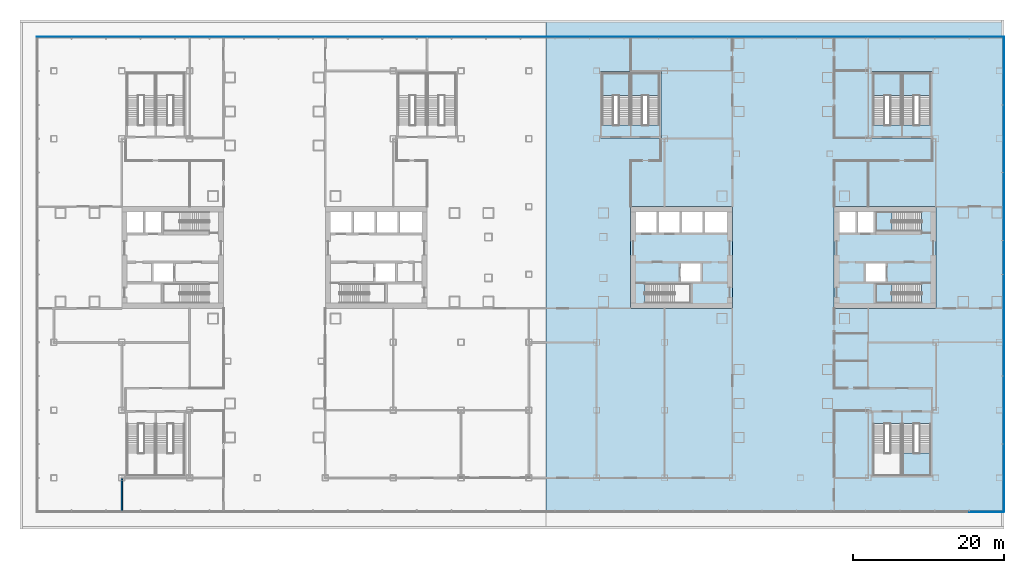
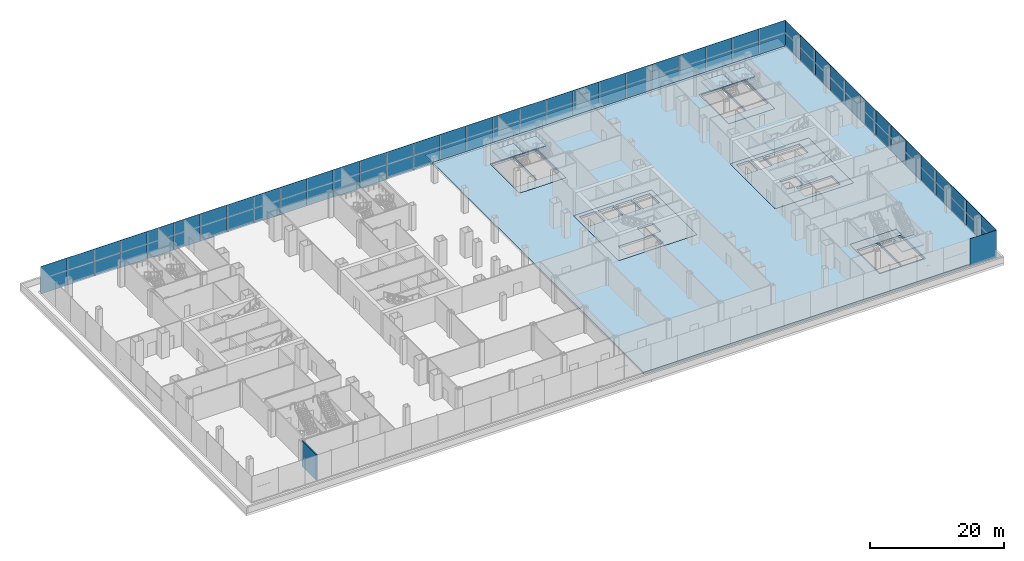
# One storey, part 19 of 33: 43 plates, 14 slabs, 1 wall, 10 elements without a shape of their own.
"""IFC4 building model written with IfcOpenShell, lengths in metres."""

from ifc_helpers import new_model, si_unit, direction, frame, frame_2d, origin, origin_2d, place, context, subcontext, project, spatial, polyline, rectangle, outline, extrude, material, layer, layer_set, type_object, element, aggregate, save


model = new_model("IFC4")

# Units and contexts
model_context = context("Model", 3, precision=1e-05, world=origin(), true_north=direction((0.0, 1.0)))
body_context = subcontext(model_context, "Body", "Model", "MODEL_VIEW")
ifc_project = project(units=[si_unit("LENGTHUNIT", "METRE"), si_unit("AREAUNIT", "SQUARE_METRE"), si_unit("VOLUMEUNIT", "CUBIC_METRE"), si_unit("PLANEANGLEUNIT", "RADIAN"), si_unit("MASSUNIT", "GRAM", prefix="KILO")], contexts=[model_context])

# Site, building, storey
site_placement = place(None, origin())
site = spatial("IfcSite", under=ifc_project, at=site_placement, CompositionType="ELEMENT")
building_placement = place(site_placement, origin())
building = spatial("IfcBuilding", under=site, at=building_placement, Name="Shamsa Quay Exchange Towers", CompositionType="ELEMENT")
storey_placement = place(building_placement, frame((0.0, 0.0, 18.5)))
storey = spatial("IfcBuildingStorey", under=building, at=storey_placement, Name="L03", CompositionType="ELEMENT", Elevation=18.5)

# Slabs
ifc_material_1 = material(Name="Concrete C50/60", Category="concrete")
ifc_layer_1 = layer(ifc_material_1, 0.39990234375)
ifc_layer_set_1 = layer_set([ifc_layer_1], Name="CORE FLOOR 400 C50/60")
slab_type_1 = type_object("IfcSlabType", Name="CORE FLOOR 400 C50/60", PredefinedType="FLOOR", material=ifc_layer_set_1)
slab_1_placement = place(storey_placement, frame((0.0, 0.0, -0.39990234375)))
element("IfcSlab", 1, at=slab_1_placement, inside=storey, type_object=slab_type_1, Name="Core floor T2A", PredefinedType="FLOOR", context=body_context, shape_type="SweptSolid", body=[
    extrude(outline(polyline([(13.5, -6.75), (27.0, -6.75), (27.0, 6.75), (13.5, 6.75), (13.5, -6.75)]), holes=[polyline([(15.400634765625, -6.050048828125), (15.400634765625, -3.5), (21.5, -3.5), (21.5, -6.050048828125), (15.400634765625, -6.050048828125)]), polyline([(14.199951171875, 3.25), (14.199951171875, 6.050048828125), (17.0, 6.050048828125), (17.0, 3.25), (14.199951171875, 3.25)]), polyline([(17.25, 3.25), (17.25, 6.050048828125), (20.050048828125, 6.050048828125), (20.050048828125, 3.25), (17.25, 3.25)]), polyline([(20.300048828125, 3.25), (20.300048828125, 6.050048828125), (23.10009765625, 6.050048828125), (23.10009765625, 3.25), (20.300048828125, 3.25)]), polyline([(23.35009765625, 3.25), (23.35009765625, 6.050048828125), (26.300048828125, 6.050048828125), (26.300048828125, 3.25), (23.35009765625, 3.25)]), polyline([(20.14990234375, -3.25), (20.14990234375, -0.75), (22.800048828125, -0.75), (22.800048828125, -3.25), (20.14990234375, -3.25)])]), origin(), (0.0, 0.0, 1.0), 0.39990234375),
])
slab_2_placement = place(storey_placement, frame((0.0, 0.0, -0.39990234375)))
element("IfcSlab", 2, at=slab_2_placement, inside=storey, type_object=slab_type_1, Name="Core floor T2B", PredefinedType="FLOOR", context=body_context, shape_type="SweptSolid", body=[
    extrude(outline(polyline([(54.0, -6.75), (54.0, 6.75), (40.5, 6.75), (40.5, -6.75), (54.0, -6.75)]), holes=[polyline([(52.099365234375, -3.5), (52.099365234375, -6.050048828125), (46.0, -6.050048828125), (46.0, -3.5), (52.099365234375, -3.5)]), polyline([(52.099365234375, 6.050048828125), (52.099365234375, 3.5), (46.0, 3.5), (46.0, 6.050048828125), (52.099365234375, 6.050048828125)]), polyline([(45.75, 3.25), (43.60009765625, 3.25), (43.60009765625, 6.050048828125), (45.75, 6.050048828125), (45.75, 3.25)]), polyline([(43.35009765625, 3.25), (41.199951171875, 3.25), (41.199951171875, 6.050048828125), (43.35009765625, 6.050048828125), (43.35009765625, 3.25)]), polyline([(47.35009765625, -3.25), (44.699951171875, -3.25), (44.699951171875, -0.75), (47.35009765625, -0.75), (47.35009765625, -3.25)])]), origin(), (0.0, 0.0, 1.0), 0.39990234375),
])
slab_3_placement = place(storey_placement, frame((0.0, 0.0, -0.39990234375)))
element("IfcSlab", 3, at=slab_3_placement, inside=storey, type_object=slab_type_1, Name="Stair floor PS3", PredefinedType="FLOOR", context=body_context, shape_type="SweptSolid", body=[
    extrude(outline(polyline([(9.5, 15.85009765625), (17.5, 15.85009765625), (17.5, 24.64990234375), (9.5, 24.64990234375), (9.5, 15.85009765625)]), holes=[polyline([(13.425048828125, 17.55078125), (9.699951171875, 17.55078125), (9.699951171875, 24.449951171875), (13.425048828125, 24.449951171875), (13.425048828125, 17.55078125)]), polyline([(17.300048828125, 17.55078125), (13.574951171875, 17.55078125), (13.574951171875, 24.449951171875), (17.300048828125, 24.449951171875), (17.300048828125, 17.55078125)])]), origin(), (0.0, 0.0, 1.0), 0.39990234375),
])
slab_4_placement = place(storey_placement, frame((0.0, 0.0, -0.39990234375)))
element("IfcSlab", 4, at=slab_4_placement, inside=storey, type_object=slab_type_1, Name="Stair floor PS4", PredefinedType="FLOOR", context=body_context, shape_type="SweptSolid", body=[
    extrude(outline(polyline([(45.5, 15.85009765625), (53.5, 15.85009765625), (53.5, 24.64990234375), (45.5, 24.64990234375), (45.5, 15.85009765625)]), holes=[polyline([(49.425048828125, 17.55078125), (45.699951171875, 17.55078125), (45.699951171875, 24.449951171875), (49.425048828125, 24.449951171875), (49.425048828125, 17.55078125)]), polyline([(53.300048828125, 17.55078125), (49.574951171875, 17.55078125), (49.574951171875, 24.449951171875), (53.300048828125, 24.449951171875), (53.300048828125, 17.55078125)])]), origin(), (0.0, 0.0, 1.0), 0.39990234375),
])
slab_5_placement = place(storey_placement, frame((0.0, 0.0, -0.39990234375)))
element("IfcSlab", 5, at=slab_5_placement, inside=storey, type_object=slab_type_1, Name="Stair floor PS6", PredefinedType="FLOOR", context=body_context, shape_type="SweptSolid", body=[
    extrude(outline(polyline([(45.5, -29.14990234375), (53.5, -29.14990234375), (53.5, -20.35009765625), (45.5, -20.35009765625), (45.5, -29.14990234375)]), holes=[polyline([(45.699951171875, -22.05078125), (49.425048828125, -22.05078125), (49.425048828125, -28.949951171875), (45.699951171875, -28.949951171875), (45.699951171875, -22.05078125)]), polyline([(49.574951171875, -22.05078125), (53.300048828125, -22.05078125), (53.300048828125, -28.949951171875), (49.574951171875, -28.949951171875), (49.574951171875, -22.05078125)])]), origin(), (0.0, 0.0, 1.0), 0.39990234375),
])

# Stair, slab
ifc_material_2 = material(Name="Concrete C40/50", Category="concrete")
stair_type_1 = type_object("IfcStairType", Name="EXIT STAIR 30 RISERS 167 MM", PredefinedType="HALF_TURN_STAIR", material=ifc_material_2)
stair_1_placement = place(storey_placement, origin())
stair_1 = element("IfcStair", 6, at=stair_1_placement, inside=storey, type_object=stair_type_1, Name="L03 Exit stair ST5", PredefinedType="HALF_TURN_STAIR")
ifc_layer_2 = layer(ifc_material_2, 0.199951171875)
ifc_layer_set_2 = layer_set([ifc_layer_2], Name="CORE STAIR LANDING")
slab_type_2 = type_object("IfcSlabType", Name="CORE STAIR LANDING", PredefinedType="LANDING", material=ifc_layer_set_2)
slab_6_placement = place(storey_placement, frame((0.0, 0.0, 2.300048828125)))
slab_6 = element("IfcSlab", 7, at=slab_6_placement, type_object=slab_type_2, Name="ST5 landing 1", PredefinedType="LANDING", context=body_context, shape_type="SweptSolid", body=[
    extrude(outline(polyline([(48.179931640625, -3.5), (46.0, -3.5), (46.0, -6.050048828125), (48.179931640625, -6.050048828125), (48.179931640625, -3.5)])), origin(), (0.0, 0.0, 1.0), 0.199951171875),
])
aggregate(stair_1, [slab_6])

stair_2_placement = place(storey_placement, origin())
stair_2 = element("IfcStair", 8, at=stair_2_placement, inside=storey, type_object=stair_type_1, Name="L03 Exit stair ST6", PredefinedType="HALF_TURN_STAIR")
slab_7_placement = place(storey_placement, frame((0.0, 0.0, 2.300048828125)))
slab_7 = element("IfcSlab", 9, at=slab_7_placement, type_object=slab_type_2, Name="ST6 landing 1", PredefinedType="LANDING", context=body_context, shape_type="SweptSolid", body=[
    extrude(outline(polyline([(48.179931640625, 6.050048828125), (46.0, 6.050048828125), (46.0, 3.5), (48.179931640625, 3.5), (48.179931640625, 6.050048828125)])), origin(), (0.0, 0.0, 1.0), 0.199951171875),
])
aggregate(stair_2, [slab_7])

stair_type_2 = type_object("IfcStairType", Name="PODIUM EXIT STAIR 30 RISERS 167 MM 1500 WIDE", PredefinedType="HALF_TURN_STAIR", material=ifc_material_2)
stair_3_placement = place(storey_placement, origin())
stair_3 = element("IfcStair", 10, at=stair_3_placement, inside=storey, type_object=stair_type_2, Name="L03 Exit stair PS3A", PredefinedType="HALF_TURN_STAIR")
slab_8_placement = place(storey_placement, frame((0.0, 0.0, 2.300048828125)))
slab_8 = element("IfcSlab", 11, at=slab_8_placement, type_object=slab_type_2, Name="PS3A landing 1", PredefinedType="LANDING", context=body_context, shape_type="SweptSolid", body=[
    extrude(outline(polyline([(13.425048828125, 21.469970703125), (13.425048828125, 24.449951171875), (9.699951171875, 24.449951171875), (9.699951171875, 21.469970703125), (13.425048828125, 21.469970703125)])), origin(), (0.0, 0.0, 1.0), 0.199951171875),
])
aggregate(stair_3, [slab_8])

stair_4_placement = place(storey_placement, origin())
stair_4 = element("IfcStair", 12, at=stair_4_placement, inside=storey, type_object=stair_type_2, Name="L03 Exit stair PS3B", PredefinedType="HALF_TURN_STAIR")
slab_9_placement = place(storey_placement, frame((0.0, 0.0, 2.300048828125)))
slab_9 = element("IfcSlab", 13, at=slab_9_placement, type_object=slab_type_2, Name="PS3B landing 1", PredefinedType="LANDING", context=body_context, shape_type="SweptSolid", body=[
    extrude(outline(polyline([(17.300048828125, 21.469970703125), (17.300048828125, 24.449951171875), (13.574951171875, 24.449951171875), (13.574951171875, 21.469970703125), (17.300048828125, 21.469970703125)])), origin(), (0.0, 0.0, 1.0), 0.199951171875),
])
aggregate(stair_4, [slab_9])

stair_5_placement = place(storey_placement, origin())
stair_5 = element("IfcStair", 14, at=stair_5_placement, inside=storey, type_object=stair_type_2, Name="L03 Exit stair PS4A", PredefinedType="HALF_TURN_STAIR")
slab_10_placement = place(storey_placement, frame((0.0, 0.0, 2.300048828125)))
slab_10 = element("IfcSlab", 15, at=slab_10_placement, type_object=slab_type_2, Name="PS4A landing 1", PredefinedType="LANDING", context=body_context, shape_type="SweptSolid", body=[
    extrude(outline(polyline([(49.425048828125, 21.469970703125), (49.425048828125, 24.449951171875), (45.699951171875, 24.449951171875), (45.699951171875, 21.469970703125), (49.425048828125, 21.469970703125)])), origin(), (0.0, 0.0, 1.0), 0.199951171875),
])
aggregate(stair_5, [slab_10])

stair_6_placement = place(storey_placement, origin())
stair_6 = element("IfcStair", 16, at=stair_6_placement, inside=storey, type_object=stair_type_2, Name="L03 Exit stair PS4B", PredefinedType="HALF_TURN_STAIR")
slab_11_placement = place(storey_placement, frame((0.0, 0.0, 2.300048828125)))
slab_11 = element("IfcSlab", 17, at=slab_11_placement, type_object=slab_type_2, Name="PS4B landing 1", PredefinedType="LANDING", context=body_context, shape_type="SweptSolid", body=[
    extrude(outline(polyline([(53.300048828125, 21.469970703125), (53.300048828125, 24.449951171875), (49.574951171875, 24.449951171875), (49.574951171875, 21.469970703125), (53.300048828125, 21.469970703125)])), origin(), (0.0, 0.0, 1.0), 0.199951171875),
])
aggregate(stair_6, [slab_11])

stair_7_placement = place(storey_placement, origin())
stair_7 = element("IfcStair", 18, at=stair_7_placement, inside=storey, type_object=stair_type_2, Name="L03 Exit stair PS6B", PredefinedType="HALF_TURN_STAIR")
slab_12_placement = place(storey_placement, frame((0.0, 0.0, 2.300048828125)))
slab_12 = element("IfcSlab", 19, at=slab_12_placement, type_object=slab_type_2, Name="PS6B landing 1", PredefinedType="LANDING", context=body_context, shape_type="SweptSolid", body=[
    extrude(outline(polyline([(49.574951171875, -25.969970703125), (49.574951171875, -28.949951171875), (53.300048828125, -28.949951171875), (53.300048828125, -25.969970703125), (49.574951171875, -25.969970703125)])), origin(), (0.0, 0.0, 1.0), 0.199951171875),
])
aggregate(stair_7, [slab_12])

# Curtain wall, plates
ifc_material_3 = material(Name="Aluminium EN AW-6063 T6, black anodised", Category="aluminium")
ifc_layer_3 = layer(ifc_material_3, 0.33203125)
ifc_layer_set_3 = layer_set([ifc_layer_3], Name="CW-3 PODIUM SHOPFRONT GLAZING")
curtain_wall_type = type_object("IfcCurtainWallType", Name="CW-3 PODIUM SHOPFRONT GLAZING", PredefinedType="NOTDEFINED", material=ifc_layer_set_3)
curtain_wall_1_placement = place(storey_placement, origin())
curtain_wall_1 = element("IfcCurtainWall", 20, at=curtain_wall_1_placement, inside=storey, type_object=curtain_wall_type, Name="CW3 PODIUM-L03-F00", PredefinedType="NOTDEFINED")
ifc_material_4 = material(Name="Glass, laminated, impact rated, clear low iron", Category="glass")
ifc_layer_4 = layer(ifc_material_4, 0.031982421875)
ifc_layer_set_4 = layer_set([ifc_layer_4], Name="CW-3 SHOPFRONT GLASS 32")
plate_type = type_object("IfcPlateType", Name="CW-3 SHOPFRONT GLASS 32", PredefinedType="CURTAIN_PANEL", material=ifc_layer_set_4)
plate_1_placement = place(storey_placement, frame((63.01611328125, -31.50244140625, -0.35009765625), z_axis=(0.0, 0.0, 1.0), x_axis=(0.0, 1.0, 0.0)))
plate_1 = element("IfcPlate", 21, at=plate_1_placement, type_object=plate_type, Name="CW3 glass panel", PredefinedType="CURTAIN_PANEL", context=body_context, shape_type="SweptSolid", body=[
    extrude(rectangle(XDim=4.4951171875, YDim=0.031982421875, at=origin_2d()), origin(), (0.0, 0.0, 1.0), 5.0),
])
plate_2_placement = place(storey_placement, frame((63.01611328125, -27.0, -0.35009765625), z_axis=(0.0, 0.0, 1.0), x_axis=(0.0, 1.0, 0.0)))
plate_2 = element("IfcPlate", 22, at=plate_2_placement, type_object=plate_type, Name="CW3 glass panel", PredefinedType="CURTAIN_PANEL", context=body_context, shape_type="SweptSolid", body=[
    extrude(rectangle(XDim=4.489990234375, YDim=0.031982421875, at=origin_2d()), origin(), (0.0, 0.0, 1.0), 5.0),
])
plate_3_placement = place(storey_placement, frame((63.01611328125, -22.5, -0.35009765625), z_axis=(0.0, 0.0, 1.0), x_axis=(0.0, 1.0, 0.0)))
plate_3 = element("IfcPlate", 23, at=plate_3_placement, type_object=plate_type, Name="CW3 glass panel", PredefinedType="CURTAIN_PANEL", context=body_context, shape_type="SweptSolid", body=[
    extrude(rectangle(XDim=4.489990234375, YDim=0.031982421875, at=origin_2d()), origin(), (0.0, 0.0, 1.0), 5.0),
])
plate_4_placement = place(storey_placement, frame((63.01611328125, -18.0, -0.35009765625), z_axis=(0.0, 0.0, 1.0), x_axis=(0.0, 1.0, 0.0)))
plate_4 = element("IfcPlate", 24, at=plate_4_placement, type_object=plate_type, Name="CW3 glass panel", PredefinedType="CURTAIN_PANEL", context=body_context, shape_type="SweptSolid", body=[
    extrude(rectangle(XDim=4.489990234375, YDim=0.031982421875, at=origin_2d()), origin(), (0.0, 0.0, 1.0), 5.0),
])
plate_5_placement = place(storey_placement, frame((63.01611328125, -13.5, -0.35009765625), z_axis=(0.0, 0.0, 1.0), x_axis=(0.0, 1.0, 0.0)))
plate_5 = element("IfcPlate", 25, at=plate_5_placement, type_object=plate_type, Name="CW3 glass panel", PredefinedType="CURTAIN_PANEL", context=body_context, shape_type="SweptSolid", body=[
    extrude(rectangle(XDim=4.489990234375, YDim=0.031982421875, at=origin_2d()), origin(), (0.0, 0.0, 1.0), 5.0),
])
plate_6_placement = place(storey_placement, frame((63.01611328125, -9.0, -0.35009765625), z_axis=(0.0, 0.0, 1.0), x_axis=(0.0, 1.0, 0.0)))
plate_6 = element("IfcPlate", 26, at=plate_6_placement, type_object=plate_type, Name="CW3 glass panel", PredefinedType="CURTAIN_PANEL", context=body_context, shape_type="SweptSolid", body=[
    extrude(rectangle(XDim=4.489990234375, YDim=0.031982421875, at=origin_2d()), origin(), (0.0, 0.0, 1.0), 5.0),
])
plate_7_placement = place(storey_placement, frame((63.01611328125, -4.5, -0.35009765625), z_axis=(0.0, 0.0, 1.0), x_axis=(0.0, 1.0, 0.0)))
plate_7 = element("IfcPlate", 27, at=plate_7_placement, type_object=plate_type, Name="CW3 glass panel", PredefinedType="CURTAIN_PANEL", context=body_context, shape_type="SweptSolid", body=[
    extrude(rectangle(XDim=4.489990234375, YDim=0.031982421875, at=origin_2d()), origin(), (0.0, 0.0, 1.0), 5.0),
])
plate_8_placement = place(storey_placement, frame((63.01611328125, 0.0, -0.35009765625), z_axis=(0.0, 0.0, 1.0), x_axis=(0.0, 1.0, 0.0)))
plate_8 = element("IfcPlate", 28, at=plate_8_placement, type_object=plate_type, Name="CW3 glass panel", PredefinedType="CURTAIN_PANEL", context=body_context, shape_type="SweptSolid", body=[
    extrude(rectangle(XDim=4.489990234375, YDim=0.031982421875, at=origin_2d()), origin(), (0.0, 0.0, 1.0), 5.0),
])
plate_9_placement = place(storey_placement, frame((63.01611328125, 4.5, -0.35009765625), z_axis=(0.0, 0.0, 1.0), x_axis=(0.0, 1.0, 0.0)))
plate_9 = element("IfcPlate", 29, at=plate_9_placement, type_object=plate_type, Name="CW3 glass panel", PredefinedType="CURTAIN_PANEL", context=body_context, shape_type="SweptSolid", body=[
    extrude(rectangle(XDim=4.489990234375, YDim=0.031982421875, at=origin_2d()), origin(), (0.0, 0.0, 1.0), 5.0),
])
plate_10_placement = place(storey_placement, frame((63.01611328125, 9.0, -0.35009765625), z_axis=(0.0, 0.0, 1.0), x_axis=(0.0, 1.0, 0.0)))
plate_10 = element("IfcPlate", 30, at=plate_10_placement, type_object=plate_type, Name="CW3 glass panel", PredefinedType="CURTAIN_PANEL", context=body_context, shape_type="SweptSolid", body=[
    extrude(rectangle(XDim=4.489990234375, YDim=0.031982421875, at=origin_2d()), origin(), (0.0, 0.0, 1.0), 5.0),
])
plate_11_placement = place(storey_placement, frame((63.01611328125, 13.5, -0.35009765625), z_axis=(0.0, 0.0, 1.0), x_axis=(0.0, 1.0, 0.0)))
plate_11 = element("IfcPlate", 31, at=plate_11_placement, type_object=plate_type, Name="CW3 glass panel", PredefinedType="CURTAIN_PANEL", context=body_context, shape_type="SweptSolid", body=[
    extrude(rectangle(XDim=4.489990234375, YDim=0.031982421875, at=origin_2d()), origin(), (0.0, 0.0, 1.0), 5.0),
])
plate_12_placement = place(storey_placement, frame((63.01611328125, 18.0, -0.35009765625), z_axis=(0.0, 0.0, 1.0), x_axis=(0.0, 1.0, 0.0)))
plate_12 = element("IfcPlate", 32, at=plate_12_placement, type_object=plate_type, Name="CW3 glass panel", PredefinedType="CURTAIN_PANEL", context=body_context, shape_type="SweptSolid", body=[
    extrude(rectangle(XDim=4.489990234375, YDim=0.031982421875, at=origin_2d()), origin(), (0.0, 0.0, 1.0), 5.0),
])
plate_13_placement = place(storey_placement, frame((63.01611328125, 22.5, -0.35009765625), z_axis=(0.0, 0.0, 1.0), x_axis=(0.0, 1.0, 0.0)))
plate_13 = element("IfcPlate", 33, at=plate_13_placement, type_object=plate_type, Name="CW3 glass panel", PredefinedType="CURTAIN_PANEL", context=body_context, shape_type="SweptSolid", body=[
    extrude(rectangle(XDim=4.489990234375, YDim=0.031982421875, at=origin_2d()), origin(), (0.0, 0.0, 1.0), 5.0),
])
plate_14_placement = place(storey_placement, frame((63.01611328125, 27.00244140625, -0.35009765625), z_axis=(0.0, 0.0, 1.0), x_axis=(0.0, 1.0, 0.0)))
plate_14 = element("IfcPlate", 34, at=plate_14_placement, type_object=plate_type, Name="CW3 glass panel", PredefinedType="CURTAIN_PANEL", context=body_context, shape_type="SweptSolid", body=[
    extrude(rectangle(XDim=4.4951171875, YDim=0.031982421875, at=origin_2d()), origin(), (0.0, 0.0, 1.0), 5.0),
])
aggregate(curtain_wall_1, [plate_1, plate_2, plate_3, plate_4, plate_5, plate_6, plate_7, plate_8, plate_9, plate_10, plate_11, plate_12, plate_13, plate_14])

curtain_wall_2_placement = place(storey_placement, origin())
curtain_wall_2 = element("IfcCurtainWall", 35, at=curtain_wall_2_placement, inside=storey, type_object=curtain_wall_type, Name="CW3 PODIUM-L03-F01", PredefinedType="NOTDEFINED")
plate_15_placement = place(storey_placement, frame((60.71240234375, 29.26611328125, -0.35009765625), z_axis=(0.0, 0.0, 1.0), x_axis=(-1.0, 0.0, 0.0)))
plate_15 = element("IfcPlate", 36, at=plate_15_placement, type_object=plate_type, Name="CW3 glass panel", PredefinedType="CURTAIN_PANEL", context=body_context, shape_type="SweptSolid", body=[
    extrude(rectangle(XDim=4.575439453125, YDim=0.031982421875, at=origin_2d()), origin(), (0.0, 0.0, 1.0), 5.0),
])
plate_16_placement = place(storey_placement, frame((56.12939453125, 29.26611328125, -0.35009765625), z_axis=(0.0, 0.0, 1.0), x_axis=(-1.0, 0.0, 0.0)))
plate_16 = element("IfcPlate", 37, at=plate_16_placement, type_object=plate_type, Name="CW3 glass panel", PredefinedType="CURTAIN_PANEL", context=body_context, shape_type="SweptSolid", body=[
    extrude(rectangle(XDim=4.5703125, YDim=0.031982421875, at=origin_2d()), origin(), (0.0, 0.0, 1.0), 5.0),
])
plate_17_placement = place(storey_placement, frame((51.549072265625, 29.26611328125, -0.35009765625), z_axis=(0.0, 0.0, 1.0), x_axis=(-1.0, 0.0, 0.0)))
plate_17 = element("IfcPlate", 38, at=plate_17_placement, type_object=plate_type, Name="CW3 glass panel", PredefinedType="CURTAIN_PANEL", context=body_context, shape_type="SweptSolid", body=[
    extrude(rectangle(XDim=4.5703125, YDim=0.031982421875, at=origin_2d()), origin(), (0.0, 0.0, 1.0), 5.0),
])
plate_18_placement = place(storey_placement, frame((46.96875, 29.26611328125, -0.35009765625), z_axis=(0.0, 0.0, 1.0), x_axis=(-1.0, 0.0, 0.0)))
plate_18 = element("IfcPlate", 39, at=plate_18_placement, type_object=plate_type, Name="CW3 glass panel", PredefinedType="CURTAIN_PANEL", context=body_context, shape_type="SweptSolid", body=[
    extrude(rectangle(XDim=4.5703125, YDim=0.031982421875, at=origin_2d()), origin(), (0.0, 0.0, 1.0), 5.0),
])
plate_19_placement = place(storey_placement, frame((42.388427734375, 29.26611328125, -0.35009765625), z_axis=(0.0, 0.0, 1.0), x_axis=(-1.0, 0.0, 0.0)))
plate_19 = element("IfcPlate", 40, at=plate_19_placement, type_object=plate_type, Name="CW3 glass panel", PredefinedType="CURTAIN_PANEL", context=body_context, shape_type="SweptSolid", body=[
    extrude(rectangle(XDim=4.5703125, YDim=0.031982421875, at=origin_2d()), origin(), (0.0, 0.0, 1.0), 5.0),
])
plate_20_placement = place(storey_placement, frame((37.80810546875, 29.26611328125, -0.35009765625), z_axis=(0.0, 0.0, 1.0), x_axis=(-1.0, 0.0, 0.0)))
plate_20 = element("IfcPlate", 41, at=plate_20_placement, type_object=plate_type, Name="CW3 glass panel", PredefinedType="CURTAIN_PANEL", context=body_context, shape_type="SweptSolid", body=[
    extrude(rectangle(XDim=4.5703125, YDim=0.031982421875, at=origin_2d()), origin(), (0.0, 0.0, 1.0), 5.0),
])
plate_21_placement = place(storey_placement, frame((33.227783203125, 29.26611328125, -0.35009765625), z_axis=(0.0, 0.0, 1.0), x_axis=(-1.0, 0.0, 0.0)))
plate_21 = element("IfcPlate", 42, at=plate_21_placement, type_object=plate_type, Name="CW3 glass panel", PredefinedType="CURTAIN_PANEL", context=body_context, shape_type="SweptSolid", body=[
    extrude(rectangle(XDim=4.5703125, YDim=0.031982421875, at=origin_2d()), origin(), (0.0, 0.0, 1.0), 5.0),
])
plate_22_placement = place(storey_placement, frame((28.647216796875, 29.26611328125, -0.35009765625), z_axis=(0.0, 0.0, 1.0), x_axis=(-1.0, 0.0, 0.0)))
plate_22 = element("IfcPlate", 43, at=plate_22_placement, type_object=plate_type, Name="CW3 glass panel", PredefinedType="CURTAIN_PANEL", context=body_context, shape_type="SweptSolid", body=[
    extrude(rectangle(XDim=4.5703125, YDim=0.031982421875, at=origin_2d()), origin(), (0.0, 0.0, 1.0), 5.0),
])
plate_23_placement = place(storey_placement, frame((24.06689453125, 29.26611328125, -0.35009765625), z_axis=(0.0, 0.0, 1.0), x_axis=(-1.0, 0.0, 0.0)))
plate_23 = element("IfcPlate", 44, at=plate_23_placement, type_object=plate_type, Name="CW3 glass panel", PredefinedType="CURTAIN_PANEL", context=body_context, shape_type="SweptSolid", body=[
    extrude(rectangle(XDim=4.5703125, YDim=0.031982421875, at=origin_2d()), origin(), (0.0, 0.0, 1.0), 5.0),
])
plate_24_placement = place(storey_placement, frame((19.486572265625, 29.26611328125, -0.35009765625), z_axis=(0.0, 0.0, 1.0), x_axis=(-1.0, 0.0, 0.0)))
plate_24 = element("IfcPlate", 45, at=plate_24_placement, type_object=plate_type, Name="CW3 glass panel", PredefinedType="CURTAIN_PANEL", context=body_context, shape_type="SweptSolid", body=[
    extrude(rectangle(XDim=4.5703125, YDim=0.031982421875, at=origin_2d()), origin(), (0.0, 0.0, 1.0), 5.0),
])
plate_25_placement = place(storey_placement, frame((14.90625, 29.26611328125, -0.35009765625), z_axis=(0.0, 0.0, 1.0), x_axis=(-1.0, 0.0, 0.0)))
plate_25 = element("IfcPlate", 46, at=plate_25_placement, type_object=plate_type, Name="CW3 glass panel", PredefinedType="CURTAIN_PANEL", context=body_context, shape_type="SweptSolid", body=[
    extrude(rectangle(XDim=4.5703125, YDim=0.031982421875, at=origin_2d()), origin(), (0.0, 0.0, 1.0), 5.0),
])
plate_26_placement = place(storey_placement, frame((10.325927734375, 29.26611328125, -0.35009765625), z_axis=(0.0, 0.0, 1.0), x_axis=(-1.0, 0.0, 0.0)))
plate_26 = element("IfcPlate", 47, at=plate_26_placement, type_object=plate_type, Name="CW3 glass panel", PredefinedType="CURTAIN_PANEL", context=body_context, shape_type="SweptSolid", body=[
    extrude(rectangle(XDim=4.5703125, YDim=0.031982421875, at=origin_2d()), origin(), (0.0, 0.0, 1.0), 5.0),
])
plate_27_placement = place(storey_placement, frame((5.74560546875, 29.26611328125, -0.35009765625), z_axis=(0.0, 0.0, 1.0), x_axis=(-1.0, 0.0, 0.0)))
plate_27 = element("IfcPlate", 48, at=plate_27_placement, type_object=plate_type, Name="CW3 glass panel", PredefinedType="CURTAIN_PANEL", context=body_context, shape_type="SweptSolid", body=[
    extrude(rectangle(XDim=4.5703125, YDim=0.031982421875, at=origin_2d()), origin(), (0.0, 0.0, 1.0), 5.0),
])
plate_28_placement = place(storey_placement, frame((1.165283203125, 29.26611328125, -0.35009765625), z_axis=(0.0, 0.0, 1.0), x_axis=(-1.0, 0.0, 0.0)))
plate_28 = element("IfcPlate", 49, at=plate_28_placement, type_object=plate_type, Name="CW3 glass panel", PredefinedType="CURTAIN_PANEL", context=body_context, shape_type="SweptSolid", body=[
    extrude(rectangle(XDim=4.5703125, YDim=0.031982421875, at=origin_2d()), origin(), (0.0, 0.0, 1.0), 5.0),
])
plate_29_placement = place(storey_placement, frame((-3.415283203125, 29.26611328125, -0.35009765625), z_axis=(0.0, 0.0, 1.0), x_axis=(-1.0, 0.0, 0.0)))
plate_29 = element("IfcPlate", 50, at=plate_29_placement, type_object=plate_type, Name="CW3 glass panel", PredefinedType="CURTAIN_PANEL", context=body_context, shape_type="SweptSolid", body=[
    extrude(rectangle(XDim=4.5703125, YDim=0.031982421875, at=origin_2d()), origin(), (0.0, 0.0, 1.0), 5.0),
])
plate_30_placement = place(storey_placement, frame((-7.99560546875, 29.26611328125, -0.35009765625), z_axis=(0.0, 0.0, 1.0), x_axis=(-1.0, 0.0, 0.0)))
plate_30 = element("IfcPlate", 51, at=plate_30_placement, type_object=plate_type, Name="CW3 glass panel", PredefinedType="CURTAIN_PANEL", context=body_context, shape_type="SweptSolid", body=[
    extrude(rectangle(XDim=4.5703125, YDim=0.031982421875, at=origin_2d()), origin(), (0.0, 0.0, 1.0), 5.0),
])
plate_31_placement = place(storey_placement, frame((-12.575927734375, 29.26611328125, -0.35009765625), z_axis=(0.0, 0.0, 1.0), x_axis=(-1.0, 0.0, 0.0)))
plate_31 = element("IfcPlate", 52, at=plate_31_placement, type_object=plate_type, Name="CW3 glass panel", PredefinedType="CURTAIN_PANEL", context=body_context, shape_type="SweptSolid", body=[
    extrude(rectangle(XDim=4.5703125, YDim=0.031982421875, at=origin_2d()), origin(), (0.0, 0.0, 1.0), 5.0),
])
plate_32_placement = place(storey_placement, frame((-17.15625, 29.26611328125, -0.35009765625), z_axis=(0.0, 0.0, 1.0), x_axis=(-1.0, 0.0, 0.0)))
plate_32 = element("IfcPlate", 53, at=plate_32_placement, type_object=plate_type, Name="CW3 glass panel", PredefinedType="CURTAIN_PANEL", context=body_context, shape_type="SweptSolid", body=[
    extrude(rectangle(XDim=4.5703125, YDim=0.031982421875, at=origin_2d()), origin(), (0.0, 0.0, 1.0), 5.0),
])
plate_33_placement = place(storey_placement, frame((-21.736572265625, 29.26611328125, -0.35009765625), z_axis=(0.0, 0.0, 1.0), x_axis=(-1.0, 0.0, 0.0)))
plate_33 = element("IfcPlate", 54, at=plate_33_placement, type_object=plate_type, Name="CW3 glass panel", PredefinedType="CURTAIN_PANEL", context=body_context, shape_type="SweptSolid", body=[
    extrude(rectangle(XDim=4.5703125, YDim=0.031982421875, at=origin_2d()), origin(), (0.0, 0.0, 1.0), 5.0),
])
plate_34_placement = place(storey_placement, frame((-26.31689453125, 29.26611328125, -0.35009765625), z_axis=(0.0, 0.0, 1.0), x_axis=(-1.0, 0.0, 0.0)))
plate_34 = element("IfcPlate", 55, at=plate_34_placement, type_object=plate_type, Name="CW3 glass panel", PredefinedType="CURTAIN_PANEL", context=body_context, shape_type="SweptSolid", body=[
    extrude(rectangle(XDim=4.5703125, YDim=0.031982421875, at=origin_2d()), origin(), (0.0, 0.0, 1.0), 5.0),
])
plate_35_placement = place(storey_placement, frame((-30.897216796875, 29.26611328125, -0.35009765625), z_axis=(0.0, 0.0, 1.0), x_axis=(-1.0, 0.0, 0.0)))
plate_35 = element("IfcPlate", 56, at=plate_35_placement, type_object=plate_type, Name="CW3 glass panel", PredefinedType="CURTAIN_PANEL", context=body_context, shape_type="SweptSolid", body=[
    extrude(rectangle(XDim=4.5703125, YDim=0.031982421875, at=origin_2d()), origin(), (0.0, 0.0, 1.0), 5.0),
])
plate_36_placement = place(storey_placement, frame((-35.477783203125, 29.26611328125, -0.35009765625), z_axis=(0.0, 0.0, 1.0), x_axis=(-1.0, 0.0, 0.0)))
plate_36 = element("IfcPlate", 57, at=plate_36_placement, type_object=plate_type, Name="CW3 glass panel", PredefinedType="CURTAIN_PANEL", context=body_context, shape_type="SweptSolid", body=[
    extrude(rectangle(XDim=4.5703125, YDim=0.031982421875, at=origin_2d()), origin(), (0.0, 0.0, 1.0), 5.0),
])
plate_37_placement = place(storey_placement, frame((-40.05810546875, 29.26611328125, -0.35009765625), z_axis=(0.0, 0.0, 1.0), x_axis=(-1.0, 0.0, 0.0)))
plate_37 = element("IfcPlate", 58, at=plate_37_placement, type_object=plate_type, Name="CW3 glass panel", PredefinedType="CURTAIN_PANEL", context=body_context, shape_type="SweptSolid", body=[
    extrude(rectangle(XDim=4.5703125, YDim=0.031982421875, at=origin_2d()), origin(), (0.0, 0.0, 1.0), 5.0),
])
plate_38_placement = place(storey_placement, frame((-44.638427734375, 29.26611328125, -0.35009765625), z_axis=(0.0, 0.0, 1.0), x_axis=(-1.0, 0.0, 0.0)))
plate_38 = element("IfcPlate", 59, at=plate_38_placement, type_object=plate_type, Name="CW3 glass panel", PredefinedType="CURTAIN_PANEL", context=body_context, shape_type="SweptSolid", body=[
    extrude(rectangle(XDim=4.5703125, YDim=0.031982421875, at=origin_2d()), origin(), (0.0, 0.0, 1.0), 5.0),
])
plate_39_placement = place(storey_placement, frame((-49.21875, 29.26611328125, -0.35009765625), z_axis=(0.0, 0.0, 1.0), x_axis=(-1.0, 0.0, 0.0)))
plate_39 = element("IfcPlate", 60, at=plate_39_placement, type_object=plate_type, Name="CW3 glass panel", PredefinedType="CURTAIN_PANEL", context=body_context, shape_type="SweptSolid", body=[
    extrude(rectangle(XDim=4.5703125, YDim=0.031982421875, at=origin_2d()), origin(), (0.0, 0.0, 1.0), 5.0),
])
plate_40_placement = place(storey_placement, frame((-53.799072265625, 29.26611328125, -0.35009765625), z_axis=(0.0, 0.0, 1.0), x_axis=(-1.0, 0.0, 0.0)))
plate_40 = element("IfcPlate", 61, at=plate_40_placement, type_object=plate_type, Name="CW3 glass panel", PredefinedType="CURTAIN_PANEL", context=body_context, shape_type="SweptSolid", body=[
    extrude(rectangle(XDim=4.5703125, YDim=0.031982421875, at=origin_2d()), origin(), (0.0, 0.0, 1.0), 5.0),
])
plate_41_placement = place(storey_placement, frame((-58.37939453125, 29.26611328125, -0.35009765625), z_axis=(0.0, 0.0, 1.0), x_axis=(-1.0, 0.0, 0.0)))
plate_41 = element("IfcPlate", 62, at=plate_41_placement, type_object=plate_type, Name="CW3 glass panel", PredefinedType="CURTAIN_PANEL", context=body_context, shape_type="SweptSolid", body=[
    extrude(rectangle(XDim=4.5703125, YDim=0.031982421875, at=origin_2d()), origin(), (0.0, 0.0, 1.0), 5.0),
])
plate_42_placement = place(storey_placement, frame((-62.96240234375, 29.26611328125, -0.35009765625), z_axis=(0.0, 0.0, 1.0), x_axis=(-1.0, 0.0, 0.0)))
plate_42 = element("IfcPlate", 63, at=plate_42_placement, type_object=plate_type, Name="CW3 glass panel", PredefinedType="CURTAIN_PANEL", context=body_context, shape_type="SweptSolid", body=[
    extrude(rectangle(XDim=4.575439453125, YDim=0.031982421875, at=origin_2d()), origin(), (0.0, 0.0, 1.0), 5.0),
])
aggregate(curtain_wall_2, [plate_15, plate_16, plate_17, plate_18, plate_19, plate_20, plate_21, plate_22, plate_23, plate_24, plate_25, plate_26, plate_27, plate_28, plate_29, plate_30, plate_31, plate_32, plate_33, plate_34, plate_35, plate_36, plate_37, plate_38, plate_39, plate_40, plate_41, plate_42])

# Curtain wall, plate
curtain_wall_3_placement = place(storey_placement, origin())
curtain_wall_3 = element("IfcCurtainWall", 64, at=curtain_wall_3_placement, inside=storey, type_object=curtain_wall_type, Name="CW3 PODIUM-L03-F03", PredefinedType="NOTDEFINED")
plate_43_placement = place(storey_placement, frame((60.71240234375, -33.76611328125, -0.35009765625)))
plate_43 = element("IfcPlate", 65, at=plate_43_placement, type_object=plate_type, Name="CW3 glass panel", PredefinedType="CURTAIN_PANEL", context=body_context, shape_type="SweptSolid", body=[
    extrude(rectangle(XDim=4.575439453125, YDim=0.031982421875, at=origin_2d()), origin(), (0.0, 0.0, 1.0), 5.0),
])
aggregate(curtain_wall_3, [plate_43])

# Slabs
ifc_layer_5 = layer(ifc_material_2, 0.39990234375)
ifc_layer_set_5 = layer_set([ifc_layer_5], Name="Flat slab 400")
slab_type_3 = type_object("IfcSlabType", Name="Flat slab 400", PredefinedType="FLOOR", material=ifc_layer_set_5)
slab_13_placement = place(storey_placement, frame((0.0, 0.0, -0.39990234375)))
element("IfcSlab", 66, at=slab_13_placement, inside=storey, type_object=slab_type_3, Name="Flat slab PD L03 2", PredefinedType="FLOOR", context=body_context, shape_type="SweptSolid", body=[
    extrude(outline(polyline([(63.0, 29.25), (2.25, 29.25), (2.25, -33.75), (63.0, -33.75), (63.0, 29.25)]), holes=[polyline([(45.5, -29.14990234375), (53.5, -29.14990234375), (53.5, -20.35009765625), (45.5, -20.35009765625), (45.5, -29.14990234375)]), polyline([(13.5, 6.75), (13.5, -6.75), (27.0, -6.75), (27.0, 6.75), (13.5, 6.75)]), polyline([(40.5, -6.75), (54.0, -6.75), (54.0, 6.75), (40.5, 6.75), (40.5, -6.75)]), polyline([(9.5, 24.64990234375), (9.5, 15.85009765625), (17.5, 15.85009765625), (17.5, 24.64990234375), (9.5, 24.64990234375)]), polyline([(45.5, 24.64990234375), (45.5, 15.85009765625), (53.5, 15.85009765625), (53.5, 24.64990234375), (45.5, 24.64990234375)])]), origin(), (0.0, 0.0, 1.0), 0.39990234375),
])
ifc_layer_6 = layer(ifc_material_2, 0.39990234375)
ifc_layer_set_6 = layer_set([ifc_layer_6], Name="Terrace roof slab 400")
slab_type_4 = type_object("IfcSlabType", Name="Terrace roof slab 400", PredefinedType="ROOF", material=ifc_layer_set_6)
slab_14_placement = place(storey_placement, frame((0.0, 0.0, -0.39990234375)))
element("IfcSlab", 67, at=slab_14_placement, inside=storey, type_object=slab_type_4, Name="Roof slab PD over L02 3", PredefinedType="ROOF", context=body_context, shape_type="SweptSolid", body=[
    extrude(outline(polyline([(63.0, 31.5), (2.25, 31.5), (2.25, 29.25), (63.0, 29.25), (63.0, 31.5)])), origin(), (0.0, 0.0, 1.0), 0.39990234375),
])

# Wall
ifc_material_5 = material(Name="Gypsum board partition on metal studs")
ifc_layer_7 = layer(ifc_material_5, 0.199951171875)
ifc_layer_set_7 = layer_set([ifc_layer_7], Name="Partition 200 mm EI 90")
wall_type = type_object("IfcWallType", Name="Partition 200 mm EI 90", PredefinedType="PARTITIONING", material=ifc_layer_set_7)
wall_placement = place(storey_placement, frame((-54.0, -33.655029296875, 0.0), z_axis=(0.0, 0.0, 1.0), x_axis=(0.0, 1.0, 0.0)))
element("IfcWall", 68, at=wall_placement, inside=storey, type_object=wall_type, Name="Partition PD-L03-W68", PredefinedType="PARTITIONING", context=body_context, shape_type="SweptSolid", body=[
    extrude(rectangle(XDim=4.304931640625, YDim=0.199951171875, at=frame_2d((2.15234375, 0.0))), origin(), (0.0, 0.0, 1.0), 4.60009765625),
])

save(model, "model.ifc")
